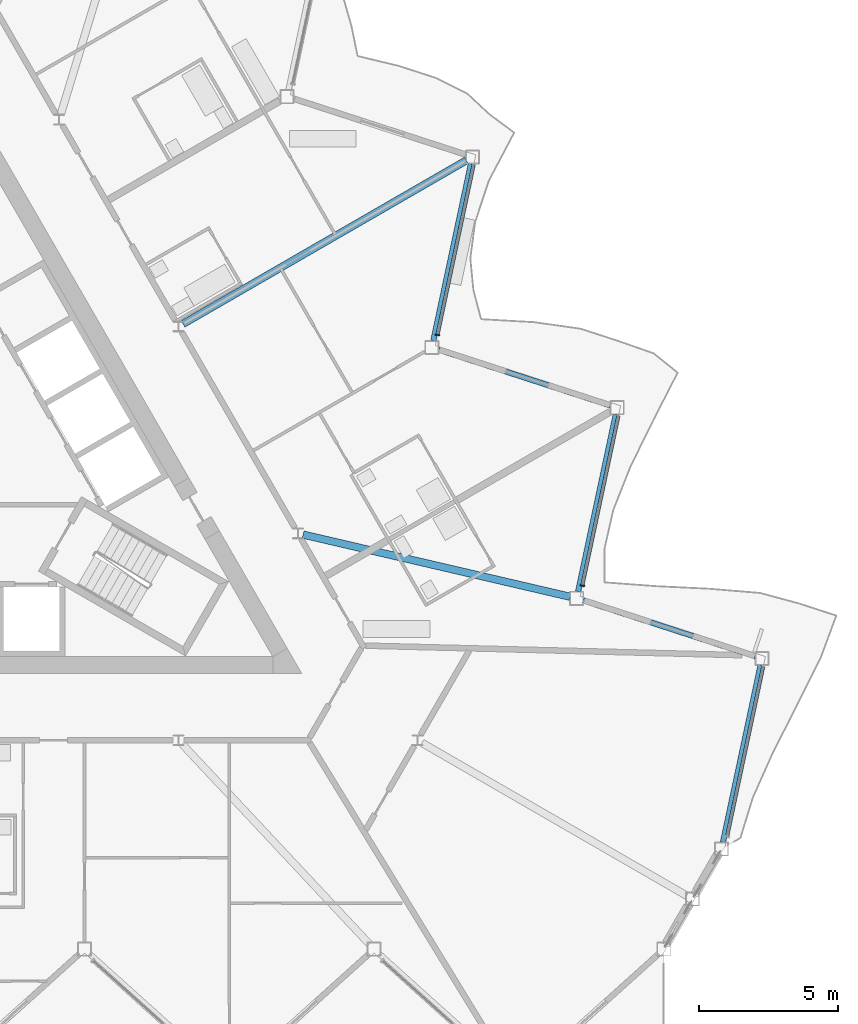
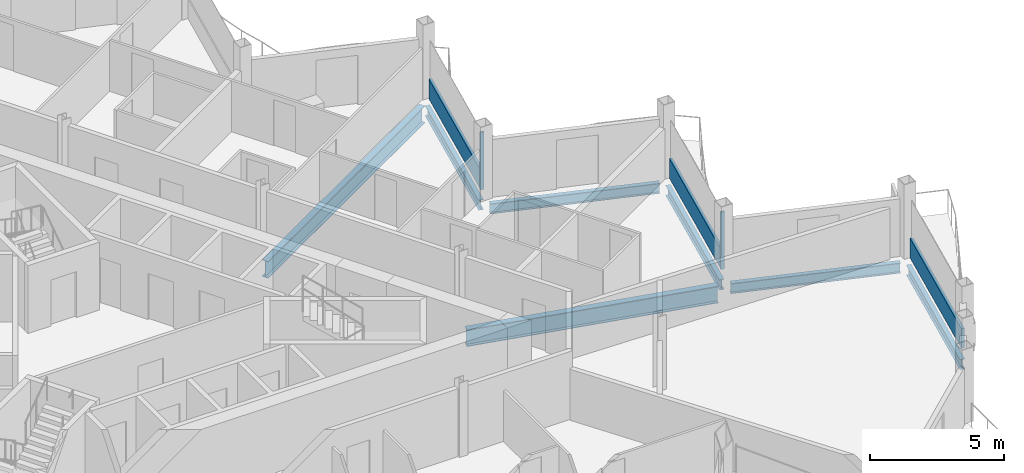
# One storey, part 8 of 26: 7 beams, 5 members, 3 elements without a shape of their own.
"""IFC4 building model written with IfcOpenShell, lengths in metres."""

from ifc_helpers import new_model, si_unit, direction, frame, origin, origin_2d, place, context, subcontext, project, spatial, rectangle, i_section, extrude, material, layer, layer_set, material_profile, profile_set, type_object, element, aggregate, save


model = new_model("IFC4")

# Units and contexts
model_context = context("Model", 3, precision=1e-05, world=origin(), true_north=direction((0.0, 1.0)))
body_context = subcontext(model_context, "Body", "Model", "MODEL_VIEW")
ifc_project = project(units=[si_unit("LENGTHUNIT", "METRE"), si_unit("AREAUNIT", "SQUARE_METRE"), si_unit("VOLUMEUNIT", "CUBIC_METRE"), si_unit("PLANEANGLEUNIT", "RADIAN"), si_unit("MASSUNIT", "GRAM", prefix="KILO")], contexts=[model_context])

# Site, building, storey
site_placement = place(None, origin())
site = spatial("IfcSite", under=ifc_project, at=site_placement, CompositionType="ELEMENT")
building_placement = place(site_placement, origin())
building = spatial("IfcBuilding", under=site, at=building_placement, Name="Cormorant Prow Tower", CompositionType="ELEMENT")
storey_placement = place(building_placement, frame((0.0, 0.0, 401.800048828125)))
storey = spatial("IfcBuildingStorey", under=building, at=storey_placement, Name="L92", CompositionType="ELEMENT", Elevation=401.800048828125)

# Beams
ifc_material_1 = material(Name="Structural steel ASTM A992 Gr 50", Category="steel")
ifc_material_profile_1 = material_profile(ifc_material_1, i_section(OverallWidth=0.267822265625, OverallDepth=0.77001953125, WebThickness=0.015625, FlangeThickness=0.025390625, at=origin_2d()), Name="W30x132")
ifc_profile_set_1 = profile_set([ifc_material_profile_1], Name="Structural steel ASTM A992 Gr 50")
beam_type_1 = type_object("IfcBeamType", Name="Radial floor beam W30x132", PredefinedType="BEAM", material=ifc_profile_set_1)
beam_1_placement = place(storey_placement, frame((13.0498046875, -2.518798828125, -0.68505859375), z_axis=(0.973926084128, -0.226865560752, 0.0), x_axis=(0.226865560752, 0.973926084128, 0.0)))
element("IfcBeam", 1, at=beam_1_placement, inside=storey, type_object=beam_type_1, Name="Radial floor beam FB3 10 L92", PredefinedType="BEAM", context=body_context, shape_type="SweptSolid", body=[
    extrude(i_section(OverallWidth=0.267822265625, OverallDepth=0.77001953125, WebThickness=0.015625, FlangeThickness=0.025390625, at=origin_2d()), origin(), (0.0, 0.0, 1.0), 9.837158203125),
])
beam_2_placement = place(storey_placement, frame((8.740478515625, 5.04638671875, -0.68505859375), z_axis=(0.866026702285, 0.499997750924, 0.0), x_axis=(-0.499997750924, 0.866026702285, 0.0)))
element("IfcBeam", 2, at=beam_2_placement, inside=storey, type_object=beam_type_1, Name="Radial floor beam FB3 11 L92", PredefinedType="BEAM", context=body_context, shape_type="SweptSolid", body=[
    extrude(i_section(OverallWidth=0.267822265625, OverallDepth=0.77001953125, WebThickness=0.015625, FlangeThickness=0.025390625, at=origin_2d()), origin(), (0.0, 0.0, 1.0), 11.7451171875),
])

# Curtain wall, member
ifc_material_2 = material(Name="Aluminium 6063-T6", Category="aluminium")
ifc_layer = layer(ifc_material_2, 0.159912109375)
ifc_layer_set = layer_set([ifc_layer], Name="Aluminium 6063-T6")
curtain_wall_type = type_object("IfcCurtainWallType", Name="Residential unitised curtain wall 160", PredefinedType="NOTDEFINED", material=ifc_layer_set)
curtain_wall_1_placement = place(storey_placement, origin())
curtain_wall_1 = element("IfcCurtainWall", 3, at=curtain_wall_1_placement, inside=storey, type_object=curtain_wall_type, Name="Residential curtain wall ENE02", PredefinedType="NOTDEFINED")
ifc_material_3 = material(Name="Aluminium 6063-T6", Category="aluminium")
ifc_material_profile_2 = material_profile(ifc_material_3, rectangle(XDim=0.159912109375, YDim=0.050048828125, at=origin_2d()), Name="Residential mullion 50x160")
ifc_profile_set_2 = profile_set([ifc_material_profile_2], Name="Aluminium 6063-T6")
member_type_1 = type_object("IfcMemberType", Name="Residential mullion 50x160", PredefinedType="MULLION", material=ifc_profile_set_2)
member_1_placement = place(storey_placement, frame((23.0791015625, -4.35302734375, 0.0), z_axis=(0.0, 0.0, 1.0), x_axis=(-0.978147609588, 0.207911649162, 0.0)))
member_1 = element("IfcMember", 4, at=member_1_placement, type_object=member_type_1, Name="Residential mullion ENE02", PredefinedType="MULLION", context=body_context, shape_type="SweptSolid", body=[
    extrude(rectangle(XDim=0.159912109375, YDim=0.050048828125, at=origin_2d()), origin(), (0.0, 0.0, 1.0), 2.6337890625),
])

curtain_wall_2_placement = place(storey_placement, origin())
curtain_wall_2 = element("IfcCurtainWall", 5, at=curtain_wall_2_placement, inside=storey, type_object=curtain_wall_type, Name="Residential curtain wall ENE04", PredefinedType="NOTDEFINED")
member_2_placement = place(storey_placement, frame((17.879150390625, 4.653564453125, 0.0), z_axis=(0.0, 0.0, 1.0), x_axis=(-0.978147609588, 0.207911649162, 0.0)))
member_2 = element("IfcMember", 6, at=member_2_placement, type_object=member_type_1, Name="Residential mullion ENE04", PredefinedType="MULLION", context=body_context, shape_type="SweptSolid", body=[
    extrude(rectangle(XDim=0.159912109375, YDim=0.050048828125, at=origin_2d()), origin(), (0.0, 0.0, 1.0), 2.6337890625),
])

curtain_wall_3_placement = place(storey_placement, origin())
curtain_wall_3 = element("IfcCurtainWall", 7, at=curtain_wall_3_placement, inside=storey, type_object=curtain_wall_type, Name="Residential curtain wall ENE00", PredefinedType="NOTDEFINED")
ifc_material_4 = material(Name="Terracotta", Category="masonry")
ifc_material_profile_3 = material_profile(ifc_material_4, rectangle(XDim=0.1201171875, YDim=0.89990234375, at=origin_2d()), Name="Residential terracotta spandrel rail 120x900")
ifc_profile_set_3 = profile_set([ifc_material_profile_3], Name="Terracotta")
member_type_2 = type_object("IfcMemberType", Name="Residential terracotta spandrel rail 120x900", PredefinedType="USERDEFINED", material=ifc_profile_set_3)
member_3_placement = place(storey_placement, frame((28.2841796875, -13.335205078125, 0.449951171875), z_axis=(0.207916541247, 0.978146569731, 0.0), x_axis=(-0.978146569731, 0.207916541247, 0.0)))
member_3 = element("IfcMember", 8, at=member_3_placement, type_object=member_type_2, Name="Residential spandrel rail ENE00", ObjectType="TRANSOM", PredefinedType="USERDEFINED", context=body_context, shape_type="SweptSolid", body=[
    extrude(rectangle(XDim=0.1201171875, YDim=0.89990234375, at=origin_2d()), origin(), (0.0, 0.0, 1.0), 6.215087890625),
])
aggregate(curtain_wall_3, [member_3])

# Member
member_4_placement = place(storey_placement, frame((23.084228515625, -4.32861328125, 0.449951171875), z_axis=(0.207916541247, 0.978146569731, 0.0), x_axis=(-0.978146569731, 0.207916541247, 0.0)))
member_4 = element("IfcMember", 9, at=member_4_placement, type_object=member_type_2, Name="Residential spandrel rail ENE02", ObjectType="TRANSOM", PredefinedType="USERDEFINED", context=body_context, shape_type="SweptSolid", body=[
    extrude(rectangle(XDim=0.1201171875, YDim=0.89990234375, at=origin_2d()), origin(), (0.0, 0.0, 1.0), 6.215087890625),
])

aggregate(curtain_wall_1, [member_1, member_4])

member_5_placement = place(storey_placement, frame((17.88427734375, 4.677978515625, 0.449951171875), z_axis=(0.207908552773, 0.978148267741, 0.0), x_axis=(-0.978148267741, 0.207908552773, 0.0)))
member_5 = element("IfcMember", 10, at=member_5_placement, type_object=member_type_2, Name="Residential spandrel rail ENE04", ObjectType="TRANSOM", PredefinedType="USERDEFINED", context=body_context, shape_type="SweptSolid", body=[
    extrude(rectangle(XDim=0.1201171875, YDim=0.89990234375, at=origin_2d()), origin(), (0.0, 0.0, 1.0), 6.21533203125),
])

aggregate(curtain_wall_2, [member_2, member_5])

# Beams
ifc_material_5 = material(Name="Structural steel ASTM A992 Gr 50", Category="steel")
ifc_material_profile_4 = material_profile(ifc_material_5, i_section(OverallWidth=0.19287109375, OverallDepth=0.466064453125, WebThickness=0.011474609375, FlangeThickness=0.01904296875, at=origin_2d()), Name="W18x65")
ifc_profile_set_4 = profile_set([ifc_material_profile_4], Name="Structural steel ASTM A992 Gr 50")
beam_type_2 = type_object("IfcBeamType", Name="Spandrel beam W18x65", PredefinedType="SPANDREL", material=ifc_profile_set_4)
beam_3_placement = place(storey_placement, frame((28.125732421875, -13.5693359375, -0.533203125), z_axis=(0.207901897373, 0.978149682344, 0.0), x_axis=(-0.978149682344, 0.207901897373, 0.0)))
element("IfcBeam", 11, at=beam_3_placement, inside=storey, type_object=beam_type_2, Name="Spandrel beam SB4 ENE00-ENE01 L92", PredefinedType="SPANDREL", context=body_context, shape_type="SweptSolid", body=[
    extrude(i_section(OverallWidth=0.19287109375, OverallDepth=0.466064453125, WebThickness=0.011474609375, FlangeThickness=0.01904296875, at=origin_2d()), origin(), (0.0, 0.0, 1.0), 6.49755859375),
])
for number, where, z_axis, x_axis, name in (
    (12, (29.290771484375, -6.89208984375, -0.533203125), (-0.951053396625, 0.309026595569, 0.0), (-0.309026595569, -0.951053396625, 0.0), "Spandrel beam SB4 ENE01-ENE02 L92"),
    (13, (22.92578125, -4.5625, -0.533203125), (0.207909538847, 0.978148058147, 0.0), (-0.978148058147, 0.207909538847, 0.0), "Spandrel beam SB4 ENE02-ENE03 L92"),
    (14, (24.0908203125, 2.114501953125, -0.533203125), (-0.951053396625, 0.309026595569, 0.0), (-0.309026595569, -0.951053396625, 0.0), "Spandrel beam SB4 ENE03-ENE04 L92"),
    (15, (17.725830078125, 4.444091796875, -0.533203125), (0.207909538847, 0.978148058147, 0.0), (-0.978148058147, 0.207909538847, 0.0), "Spandrel beam SB4 ENE04-ENE05 L92"),
):
    element("IfcBeam", number, at=place(storey_placement, frame(where, z_axis=z_axis, x_axis=x_axis)), inside=storey, type_object=beam_type_2, Name=name, PredefinedType="SPANDREL", context=body_context, shape_type="SweptSolid", body=[
        extrude(i_section(OverallWidth=0.19287109375, OverallDepth=0.466064453125, WebThickness=0.011474609375, FlangeThickness=0.01904296875, at=origin_2d()), origin(), (0.0, 0.0, 1.0), 6.497314453125),
    ])

save(model, "model.ifc")
